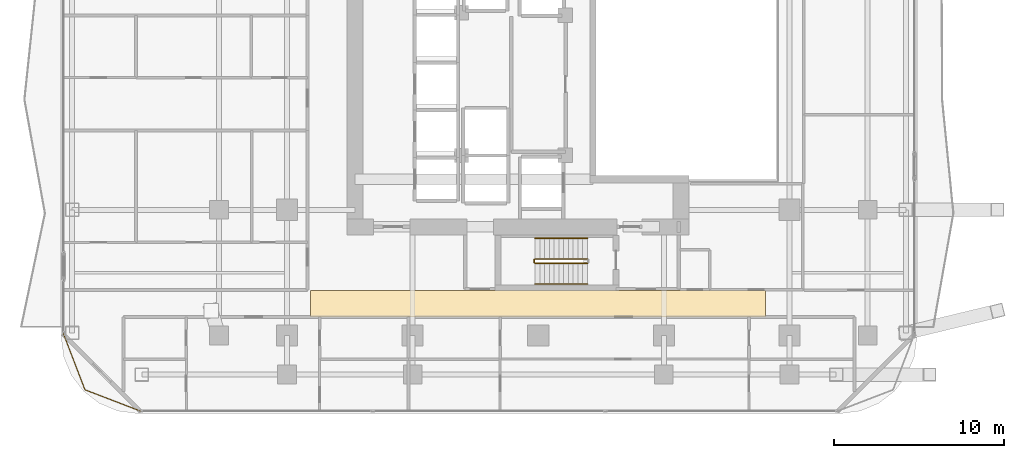
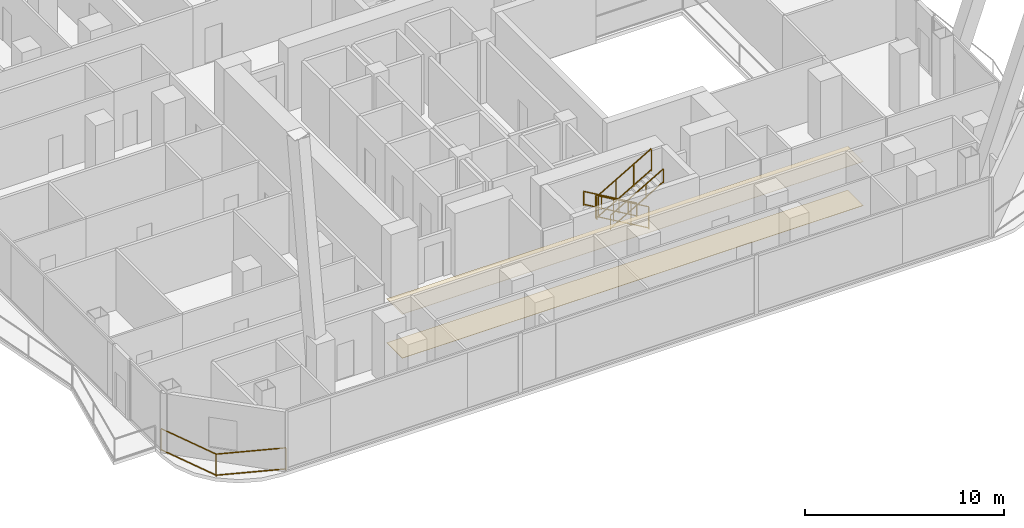
# One storey, part 29 of 32: 6 railings, 2 coverings.
"""IFC4 building model written with IfcOpenShell, lengths in metres."""

from ifc_helpers import new_model, si_unit, direction, frame, origin, origin_2d, place, context, subcontext, project, spatial, polyline, rectangle, outline, extrude, material, layer, layer_set, type_object, element, save


model = new_model("IFC4")

# Units and contexts
model_context = context("Model", 3, precision=1e-05, world=origin(), true_north=direction((0.0, 1.0)))
body_context = subcontext(model_context, "Body", "Model", "MODEL_VIEW")
ifc_project = project(units=[si_unit("LENGTHUNIT", "METRE"), si_unit("AREAUNIT", "SQUARE_METRE"), si_unit("VOLUMEUNIT", "CUBIC_METRE"), si_unit("PLANEANGLEUNIT", "RADIAN"), si_unit("MASSUNIT", "GRAM", prefix="KILO")], contexts=[model_context])

# Site, building, storey
site_placement = place(None, origin())
site = spatial("IfcSite", under=ifc_project, at=site_placement, CompositionType="ELEMENT")
building_placement = place(site_placement, origin())
building = spatial("IfcBuilding", under=site, at=building_placement, Name="Khorvyn Point Tower", CompositionType="ELEMENT")
storey_placement = place(building_placement, frame((0.0, 0.0, 93.0)))
storey = spatial("IfcBuildingStorey", under=building, at=storey_placement, Name="L23", CompositionType="ELEMENT", Elevation=93.0)

# Railing
ifc_material_1 = material(Name="Anodised aluminium 6063-T6 and laminated safety glass", Category="aluminium")
railing_type_1 = type_object("IfcRailingType", Name="Laminated Glass and Aluminium Balcony Guardrail 1400", PredefinedType="BALUSTRADE", material=ifc_material_1)
railing_1_placement = place(storey_placement, frame((-27.97412109375, -14.6708984375, 0.0)))
element("IfcRailing", 1, at=railing_1_placement, inside=storey, type_object=railing_type_1, Name="L23 Rounded Corner Edge Guardrail SW", PredefinedType="BALUSTRADE", context=body_context, shape_type="SweptSolid", body=[
    extrude(rectangle(XDim=0.048095703125, YDim=0.048095703125, at=origin_2d()), frame((0.0, 0.0, 1.3759765625), z_axis=(0.358441788428, -0.933552079055, 0.0), x_axis=(0.933552079055, 0.358441788428, 0.0)), (0.0, 0.0, 1.0), 3.56298828125),
    extrude(rectangle(XDim=0.048095703125, YDim=0.048095703125, at=origin_2d()), frame((0.0, 0.0, 0.080078125), z_axis=(0.358441788428, -0.933552079055, 0.0), x_axis=(0.933552079055, 0.358441788428, 0.0)), (0.0, 0.0, 1.0), 3.56298828125),
    extrude(rectangle(XDim=0.048095703125, YDim=0.048095703125, at=origin_2d()), frame((1.277099609375, -3.326171875, 1.3759765625), z_axis=(0.933575007025, -0.358382067435, 0.0), x_axis=(0.358382067435, 0.933575007025, 0.0)), (0.0, 0.0, 1.0), 3.562744140625),
    extrude(rectangle(XDim=0.048095703125, YDim=0.048095703125, at=origin_2d()), frame((1.277099609375, -3.326171875, 0.080078125), z_axis=(0.933575007025, -0.358382067435, 0.0), x_axis=(0.358382067435, 0.933575007025, 0.0)), (0.0, 0.0, 1.0), 3.562744140625),
    extrude(rectangle(XDim=0.0419921875, YDim=0.0419921875, at=origin_2d()), origin(), (0.0, 0.0, 1.0), 1.351806640625),
    extrude(rectangle(XDim=0.0419921875, YDim=0.0419921875, at=origin_2d()), frame((1.277099609375, -3.326171875, 0.0)), (0.0, 0.0, 1.0), 1.351806640625),
    extrude(rectangle(XDim=0.0419921875, YDim=0.0419921875, at=origin_2d()), frame((4.603271484375, -4.60302734375, 0.0)), (0.0, 0.0, 1.0), 1.351806640625),
])

# Coverings
ifc_material_2 = material(Name="Mineral-fibre acoustic ceiling board", Category="gypsum")
ifc_layer_1 = layer(ifc_material_2, 0.02001953125)
ifc_layer_set_1 = layer_set([ifc_layer_1], Name="Perforated Mineral-Fibre Acoustic Suspended Ceiling 20")
covering_type_1 = type_object("IfcCoveringType", Name="Perforated Mineral-Fibre Acoustic Suspended Ceiling 20", PredefinedType="CEILING", material=ifc_layer_set_1)
covering_1_placement = place(storey_placement, frame((0.0, 0.0, 2.699951171875)))
element("IfcCovering", 2, at=covering_1_placement, inside=storey, type_object=covering_type_1, Name="L23 South Corridor Acoustic Ceiling", PredefinedType="CEILING", context=body_context, shape_type="SweptSolid", body=[
    extrude(outline(polyline([(-13.39990234375, -13.7099609375), (13.39990234375, -13.7099609375), (13.39990234375, -12.139892578125), (-13.39990234375, -12.139892578125), (-13.39990234375, -13.7099609375)])), origin(), (0.0, 0.0, 1.0), 0.02001953125),
])
ifc_material_3 = material(Name="Vitrified porcelain terrazzo tile", Category="ceramic")
ifc_layer_2 = layer(ifc_material_3, 0.01806640625)
ifc_layer_set_2 = layer_set([ifc_layer_2], Name="Porcelain Terrazzo Corridor Floor Finish Tile 18")
covering_type_2 = type_object("IfcCoveringType", Name="Porcelain Terrazzo Corridor Floor Finish Tile 18", PredefinedType="FLOORING", material=ifc_layer_set_2)
covering_2_placement = place(storey_placement, origin())
element("IfcCovering", 3, at=covering_2_placement, inside=storey, type_object=covering_type_2, Name="L23 South Corridor Terrazzo Flooring", PredefinedType="FLOORING", context=body_context, shape_type="SweptSolid", body=[
    extrude(outline(polyline([(-13.39990234375, -13.7099609375), (13.39990234375, -13.7099609375), (13.39990234375, -12.139892578125), (-13.39990234375, -12.139892578125), (-13.39990234375, -13.7099609375)])), origin(), (0.0, 0.0, 1.0), 0.01806640625),
])

# Railings
ifc_material_4 = material(Name="Stainless steel 1.4301", Category="steel")
railing_type_2 = type_object("IfcRailingType", Name="Stainless Steel 304 Stair Pitch Handrail 900", PredefinedType="HANDRAIL", material=ifc_material_4)
railing_2_placement = place(storey_placement, frame((2.89990234375, -9.070068359375, 0.16259765625)))
element("IfcRailing", 4, at=railing_2_placement, inside=storey, type_object=railing_type_2, Name="L23 ST-01 stair handrail 1", PredefinedType="HANDRAIL", context=body_context, shape_type="SweptSolid", body=[
    extrude(rectangle(XDim=0.048095703125, YDim=0.048095703125, at=origin_2d()), frame((0.0, 0.0, 0.8759765625), z_axis=(-0.864903211148, 0.0, 0.501938676878), x_axis=(0.0, -1.0, 0.0)), (0.0, 0.0, 1.0), 3.560791015625),
    extrude(rectangle(XDim=0.048095703125, YDim=0.048095703125, at=origin_2d()), frame((0.0, 0.0, 0.080078125), z_axis=(-0.864903211148, 0.0, 0.501938676878), x_axis=(0.0, -1.0, 0.0)), (0.0, 0.0, 1.0), 3.560791015625),
    extrude(rectangle(XDim=0.0419921875, YDim=0.0419921875, at=origin_2d()), origin(), (0.0, 0.0, 1.0), 0.851806640625),
    extrude(rectangle(XDim=0.0419921875, YDim=0.0419921875, at=origin_2d()), frame((-1.026611328125, 0.0, 0.595703125)), (0.0, 0.0, 1.0), 0.851806640625),
    extrude(rectangle(XDim=0.0419921875, YDim=0.0419921875, at=origin_2d()), frame((-2.05322265625, 0.0, 1.191650390625)), (0.0, 0.0, 1.0), 0.851806640625),
    extrude(rectangle(XDim=0.0419921875, YDim=0.0419921875, at=origin_2d()), frame((-3.079833984375, 0.0, 1.787353515625)), (0.0, 0.0, 1.0), 0.851806640625),
])
railing_3_placement = place(storey_placement, frame((-0.179931640625, -11.77001953125, 2.112548828125)))
element("IfcRailing", 5, at=railing_3_placement, inside=storey, type_object=railing_type_2, Name="L23 ST-01 stair handrail 2", PredefinedType="HANDRAIL", context=body_context, shape_type="SweptSolid", body=[
    extrude(rectangle(XDim=0.048095703125, YDim=0.048095703125, at=origin_2d()), frame((0.0, 0.0, 0.8759765625), z_axis=(0.864903211148, 0.0, 0.501938676878), x_axis=(0.0, 1.0, 0.0)), (0.0, 0.0, 1.0), 3.560791015625),
    extrude(rectangle(XDim=0.048095703125, YDim=0.048095703125, at=origin_2d()), frame((0.0, 0.0, 0.080078125), z_axis=(0.864903211148, 0.0, 0.501938676878), x_axis=(0.0, 1.0, 0.0)), (0.0, 0.0, 1.0), 3.560791015625),
    extrude(rectangle(XDim=0.0419921875, YDim=0.0419921875, at=origin_2d()), origin(), (0.0, 0.0, 1.0), 0.851806640625),
    extrude(rectangle(XDim=0.0419921875, YDim=0.0419921875, at=origin_2d()), frame((1.026611328125, 0.0, 0.595703125)), (0.0, 0.0, 1.0), 0.851806640625),
    extrude(rectangle(XDim=0.0419921875, YDim=0.0419921875, at=origin_2d()), frame((2.05322265625, 0.0, 1.191650390625)), (0.0, 0.0, 1.0), 0.851806640625),
    extrude(rectangle(XDim=0.0419921875, YDim=0.0419921875, at=origin_2d()), frame((3.079833984375, 0.0, 1.787353515625)), (0.0, 0.0, 1.0), 0.851806640625),
])
railing_type_3 = type_object("IfcRailingType", Name="Stainless Steel 304 Stair Well Guardrail 1400", PredefinedType="GUARDRAIL", material=ifc_material_4)
railing_4_placement = place(storey_placement, frame((2.89990234375, -10.2900390625, 0.16259765625)))
element("IfcRailing", 6, at=railing_4_placement, inside=storey, type_object=railing_type_3, Name="L23 ST-01 stair guard 1", PredefinedType="GUARDRAIL", context=body_context, shape_type="SweptSolid", body=[
    extrude(rectangle(XDim=0.048095703125, YDim=0.048095703125, at=origin_2d()), frame((0.0, 0.0, 1.3759765625), z_axis=(-0.864903211148, 0.0, 0.501938676878), x_axis=(0.0, -1.0, 0.0)), (0.0, 0.0, 1.0), 3.560791015625),
    extrude(rectangle(XDim=0.048095703125, YDim=0.048095703125, at=origin_2d()), frame((0.0, 0.0, 0.080078125), z_axis=(-0.864903211148, 0.0, 0.501938676878), x_axis=(0.0, -1.0, 0.0)), (0.0, 0.0, 1.0), 3.560791015625),
    extrude(rectangle(XDim=0.0419921875, YDim=0.0419921875, at=origin_2d()), origin(), (0.0, 0.0, 1.0), 1.351806640625),
    extrude(rectangle(XDim=0.0419921875, YDim=0.0419921875, at=origin_2d()), frame((-1.026611328125, 0.0, 0.595703125)), (0.0, 0.0, 1.0), 1.351806640625),
    extrude(rectangle(XDim=0.0419921875, YDim=0.0419921875, at=origin_2d()), frame((-2.05322265625, 0.0, 1.191650390625)), (0.0, 0.0, 1.0), 1.351806640625),
    extrude(rectangle(XDim=0.0419921875, YDim=0.0419921875, at=origin_2d()), frame((-3.079833984375, 0.0, 1.787353515625)), (0.0, 0.0, 1.0), 1.351806640625),
])
railing_5_placement = place(storey_placement, frame((-0.22998046875, -10.340087890625, 1.949951171875)))
element("IfcRailing", 7, at=railing_5_placement, inside=storey, type_object=railing_type_3, Name="L23 ST-01 stair guard 2", PredefinedType="GUARDRAIL", context=body_context, shape_type="SweptSolid", body=[
    extrude(rectangle(XDim=0.048095703125, YDim=0.048095703125, at=origin_2d()), frame((0.0, 0.0, 1.3759765625), z_axis=(0.0, -1.0, 0.0), x_axis=(1.0, 0.0, 0.0)), (0.0, 0.0, 1.0), 0.159912109375),
    extrude(rectangle(XDim=0.048095703125, YDim=0.048095703125, at=origin_2d()), frame((0.0, 0.0, 0.080078125), z_axis=(0.0, -1.0, 0.0), x_axis=(1.0, 0.0, 0.0)), (0.0, 0.0, 1.0), 0.159912109375),
    extrude(rectangle(XDim=0.0419921875, YDim=0.0419921875, at=origin_2d()), origin(), (0.0, 0.0, 1.0), 1.351806640625),
    extrude(rectangle(XDim=0.0419921875, YDim=0.0419921875, at=origin_2d()), frame((0.0, -0.159912109375, 0.0)), (0.0, 0.0, 1.0), 1.351806640625),
])
railing_6_placement = place(storey_placement, frame((-0.179931640625, -10.550048828125, 2.112548828125)))
element("IfcRailing", 8, at=railing_6_placement, inside=storey, type_object=railing_type_3, Name="L23 ST-01 stair guard 3", PredefinedType="GUARDRAIL", context=body_context, shape_type="SweptSolid", body=[
    extrude(rectangle(XDim=0.048095703125, YDim=0.048095703125, at=origin_2d()), frame((0.0, 0.0, 1.3759765625), z_axis=(0.864903211148, 0.0, 0.501938676878), x_axis=(0.0, 1.0, 0.0)), (0.0, 0.0, 1.0), 3.560791015625),
    extrude(rectangle(XDim=0.048095703125, YDim=0.048095703125, at=origin_2d()), frame((0.0, 0.0, 0.080078125), z_axis=(0.864903211148, 0.0, 0.501938676878), x_axis=(0.0, 1.0, 0.0)), (0.0, 0.0, 1.0), 3.560791015625),
    extrude(rectangle(XDim=0.0419921875, YDim=0.0419921875, at=origin_2d()), origin(), (0.0, 0.0, 1.0), 1.351806640625),
    extrude(rectangle(XDim=0.0419921875, YDim=0.0419921875, at=origin_2d()), frame((1.026611328125, 0.0, 0.595703125)), (0.0, 0.0, 1.0), 1.351806640625),
    extrude(rectangle(XDim=0.0419921875, YDim=0.0419921875, at=origin_2d()), frame((2.05322265625, 0.0, 1.191650390625)), (0.0, 0.0, 1.0), 1.351806640625),
    extrude(rectangle(XDim=0.0419921875, YDim=0.0419921875, at=origin_2d()), frame((3.079833984375, 0.0, 1.787353515625)), (0.0, 0.0, 1.0), 1.351806640625),
])

save(model, "model.ifc")
